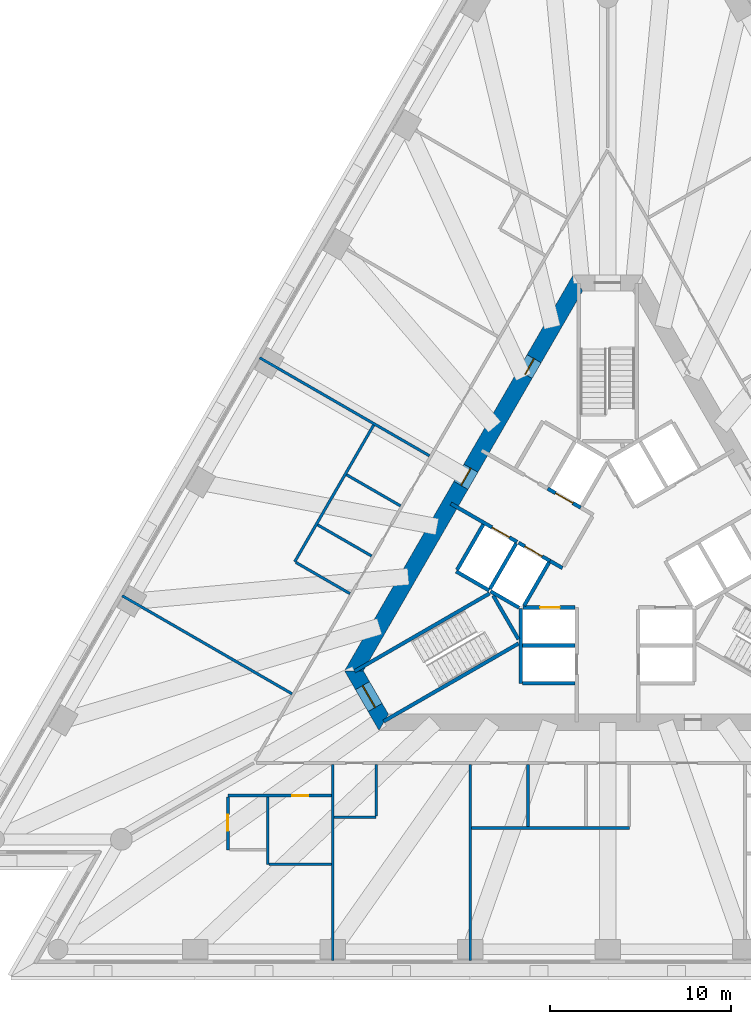
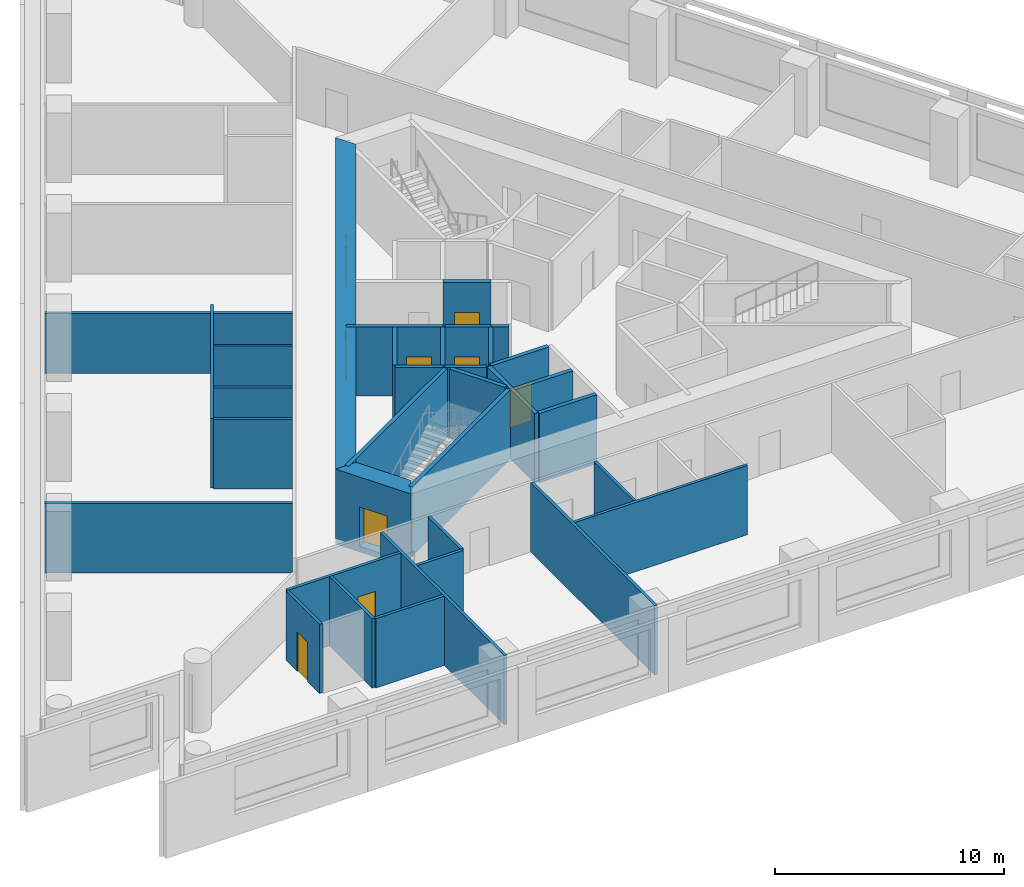
# One storey, part 3 of 11: 34 walls, 9 doors, 9 openings.
"""IFC4 building model written with IfcOpenShell, lengths in metres."""

from ifc_helpers import new_model, si_unit, direction, frame, frame_2d, origin, place, context, subcontext, project, spatial, polyline, rectangle, outline, extrude, material, layer, layer_set, type_object, element, fill, save


model = new_model("IFC4")

# Units and contexts
model_context = context("Model", 3, precision=1e-05, world=origin(), true_north=direction((0.0, 1.0)))
body_context = subcontext(model_context, "Body", "Model", "MODEL_VIEW")
ifc_project = project(units=[si_unit("LENGTHUNIT", "METRE"), si_unit("AREAUNIT", "SQUARE_METRE"), si_unit("VOLUMEUNIT", "CUBIC_METRE"), si_unit("PLANEANGLEUNIT", "RADIAN"), si_unit("MASSUNIT", "GRAM", prefix="KILO")], contexts=[model_context])

# Site, building, storey
site_placement = place(None, origin())
site = spatial("IfcSite", under=ifc_project, at=site_placement, CompositionType="ELEMENT")
building_placement = place(site_placement, origin())
building = spatial("IfcBuilding", under=site, at=building_placement, Name="Triada Interchange Tower", CompositionType="ELEMENT")
storey_placement = place(building_placement, frame((0.0, 0.0, 35.300048828125)))
storey = spatial("IfcBuildingStorey", under=building, at=storey_placement, Name="L06", CompositionType="ELEMENT", Elevation=35.300048828125)

# Walls
ifc_material_1 = material(Name="Concrete C30/37", Category="concrete")
ifc_layer_1 = layer(ifc_material_1, 0.199951171875)
ifc_layer_set_1 = layer_set([ifc_layer_1], Name="CORE WALL 200 EI 120")
wall_type_1 = type_object("IfcWallType", Name="CORE WALL 200 EI 120", PredefinedType="SOLIDWALL", material=ifc_layer_set_1)
wall_1_placement = place(storey_placement, frame((-8.3759765625, -0.70703125, 0.0), z_axis=(0.0, 0.0, 1.0), x_axis=(0.866067520717, -0.499927044236, 0.0)))
element("IfcWall", 1, at=wall_1_placement, inside=storey, type_object=wall_type_1, Name="Wall L06 46", PredefinedType="SOLIDWALL", context=body_context, shape_type="SweptSolid", body=[
    extrude(rectangle(XDim=2.100341796875, YDim=0.199951171875, at=frame_2d((1.05029296875, 0.0))), origin(), (0.0, 0.0, 1.0), 3.699951171875),
])
wall_2_placement = place(storey_placement, frame((-8.325927734375, -0.6201171875, 0.0), z_axis=(0.0, 0.0, 1.0), x_axis=(0.500023687443, 0.866011727401, 0.0)))
element("IfcWall", 2, at=wall_2_placement, inside=storey, type_object=wall_type_1, Name="Wall L06 47", PredefinedType="SOLIDWALL", context=body_context, shape_type="SweptSolid", body=[
    extrude(rectangle(XDim=2.899658203125, YDim=0.199951171875, at=frame_2d((1.44970703125, 0.0))), origin(), (0.0, 0.0, 1.0), 3.699951171875),
])
wall_3_placement = place(storey_placement, frame((-4.699951171875, -4.800048828125, 0.0), z_axis=(0.0, 0.0, 1.0), x_axis=(1.0, 0.0, 0.0)))
element("IfcWall", 3, at=wall_3_placement, inside=storey, type_object=wall_type_1, Name="Wall L06 48", PredefinedType="SOLIDWALL", context=body_context, shape_type="SweptSolid", body=[
    extrude(rectangle(XDim=2.89990234375, YDim=0.199951171875, at=frame_2d((1.449951171875, 0.0))), origin(), (0.0, 0.0, 1.0), 3.699951171875),
])
wall_4_placement = place(storey_placement, frame((-4.800048828125, -6.89990234375, 0.0), z_axis=(0.0, 0.0, 1.0), x_axis=(0.0, 1.0, 0.0)))
element("IfcWall", 4, at=wall_4_placement, inside=storey, type_object=wall_type_1, Name="Wall L06 50", PredefinedType="SOLIDWALL", context=body_context, shape_type="SweptSolid", body=[
    extrude(rectangle(XDim=4.130859375, YDim=0.199951171875, at=frame_2d((2.0654296875, 0.0))), origin(), (0.0, 0.0, 1.0), 3.699951171875),
])
wall_5_placement = place(storey_placement, frame((-4.699951171875, -6.89990234375, 0.0), z_axis=(0.0, 0.0, 1.0), x_axis=(1.0, 0.0, 0.0)))
element("IfcWall", 5, at=wall_5_placement, inside=storey, type_object=wall_type_1, Name="Wall L06 51", PredefinedType="SOLIDWALL", context=body_context, shape_type="SweptSolid", body=[
    extrude(rectangle(XDim=2.89990234375, YDim=0.199951171875, at=frame_2d((1.449951171875, 0.0))), origin(), (0.0, 0.0, 1.0), 3.699951171875),
])

# Wall, opening, door
wall_6_placement = place(storey_placement, frame((-4.676025390625, -2.699951171875, 0.0), z_axis=(0.0, 0.0, 1.0), x_axis=(1.0, 0.0, 0.0)))
wall_6 = element("IfcWall", 6, at=wall_6_placement, inside=storey, type_object=wall_type_1, Name="Wall L06 54", PredefinedType="SOLIDWALL", context=body_context, shape_type="SweptSolid", body=[
    extrude(rectangle(XDim=2.873046875, YDim=0.199951171875, at=frame_2d((1.4365234375, 0.0))), origin(), (0.0, 0.0, 1.0), 3.699951171875),
])
opening_1_placement = place(wall_6_placement, frame((0.93701171875, 0.0, 0.0)))
opening_1 = element("IfcOpeningElement", 7, at=opening_1_placement, cuts=wall_6, Name="Opening LD-LR3", PredefinedType="OPENING", context=body_context, shape_type="SweptSolid", body=[
    extrude(rectangle(XDim=1.10009765625, YDim=2.10009765625, at=frame_2d((0.550048828125, 1.050048828125))), frame((0.0, 0.10986328125, 0.0), z_axis=(0.0, -1.0, 0.0), x_axis=(1.0, 0.0, 0.0)), (0.0, 0.0, 1.0), 0.219970703125),
])
ifc_material_2 = material(Name="Steel S235 door leaf", Category="steel")
door_type_1 = type_object("IfcDoorType", Name="LIFT LANDING DOOR 1100 EI 120", OperationType="SLIDING_TO_LEFT", PredefinedType="DOOR", material=ifc_material_2)
door_1_placement = place(opening_1_placement, origin())
door_1 = element("IfcDoor", 8, at=door_1_placement, inside=storey, type_object=door_type_1, Name="LR3 landing door L06", OperationType="SLIDING_TO_LEFT", OverallHeight=2.10009765625, OverallWidth=1.10009765625, PredefinedType="DOOR", context=body_context, shape_type="SweptSolid", body=[
    extrude(rectangle(XDim=1.10009765625, YDim=2.10009765625, at=frame_2d((0.550048828125, 1.050048828125))), frame((0.0, 0.02490234375, 0.0), z_axis=(0.0, -1.0, 0.0), x_axis=(1.0, 0.0, 0.0)), (0.0, 0.0, 1.0), 0.050048828125),
])
fill(opening_1, door_1)

ifc_layer_2 = layer(ifc_material_1, 0.199951171875)
ifc_layer_set_2 = layer_set([ifc_layer_2], Name="CORE WALL 200 EI 180")
wall_type_2 = type_object("IfcWallType", Name="CORE WALL 200 EI 180", PredefinedType="SOLIDWALL", material=ifc_layer_set_2)
wall_7_placement = place(storey_placement, frame((-8.669921875, 3.04296875, 0.0), z_axis=(0.0, 0.0, 1.0), x_axis=(0.866029956157, -0.499992114976, 0.0)))
wall_7 = element("IfcWall", 9, at=wall_7_placement, inside=storey, type_object=wall_type_2, Name="Wall L06 68", PredefinedType="SOLIDWALL", context=body_context, shape_type="SweptSolid", body=[
    extrude(rectangle(XDim=4.23193359375, YDim=0.199951171875, at=frame_2d((2.115966796875, 0.0))), origin(), (0.0, 0.0, 1.0), 3.699951171875),
])
opening_2_placement = place(wall_7_placement, frame((2.6298828125, 0.0, 0.0)))
opening_2 = element("IfcOpeningElement", 10, at=opening_2_placement, cuts=wall_7, Name="Opening LD-SV1", PredefinedType="OPENING", context=body_context, shape_type="SweptSolid", body=[
    extrude(rectangle(XDim=1.10009765625, YDim=2.10009765625, at=frame_2d((0.550048828125, 1.050048828125))), frame((0.0, 0.10986328125, 0.0), z_axis=(0.0, -1.0, 0.0), x_axis=(1.0, 0.0, 0.0)), (0.0, 0.0, 1.0), 0.219970703125),
])
door_2_placement = place(opening_2_placement, origin())
door_2 = element("IfcDoor", 11, at=door_2_placement, inside=storey, type_object=door_type_1, Name="SV1 landing door L06", OperationType="SLIDING_TO_LEFT", OverallHeight=2.10009765625, OverallWidth=1.10009765625, PredefinedType="DOOR", context=body_context, shape_type="SweptSolid", body=[
    extrude(rectangle(XDim=1.10009765625, YDim=2.10009765625, at=frame_2d((0.550048828125, 1.050048828125))), frame((0.0, 0.02490234375, 0.0), z_axis=(0.0, -1.0, 0.0), x_axis=(1.0, 0.0, 0.0)), (0.0, 0.0, 1.0), 0.050048828125),
])
fill(opening_2, door_2)

# Walls
wall_8_placement = place(storey_placement, frame((-3.18798828125, -0.1220703125, 0.0), z_axis=(0.0, 0.0, 1.0), x_axis=(0.865705793592, -0.50055317294, 0.0)))
element("IfcWall", 12, at=wall_8_placement, inside=storey, type_object=wall_type_2, Name="Wall L06 69", PredefinedType="SOLIDWALL", context=body_context, shape_type="SweptSolid", body=[
    extrude(rectangle(XDim=0.796875, YDim=0.199951171875, at=frame_2d((0.3984375, 0.0))), origin(), (0.0, 0.0, 1.0), 3.699951171875),
])
wall_9_placement = place(storey_placement, frame((-6.507080078125, -1.669921875, 0.0), z_axis=(0.0, 0.0, 1.0), x_axis=(0.50012328804, 0.865954211699, 0.0)))
element("IfcWall", 13, at=wall_9_placement, inside=storey, type_object=wall_type_2, Name="Shaft wall FF1 L06 75", PredefinedType="SOLIDWALL", context=body_context, shape_type="SweptSolid", body=[
    extrude(rectangle(XDim=2.899658203125, YDim=0.199951171875, at=frame_2d((1.44970703125, 0.0))), origin(), (0.0, 0.0, 1.0), 3.699951171875),
])
wall_10_placement = place(storey_placement, frame((-6.469970703125, -1.806884765625, 0.0), z_axis=(0.0, 0.0, 1.0), x_axis=(0.865883195159, -0.500246231712, 0.0)))
element("IfcWall", 14, at=wall_10_placement, inside=storey, type_object=wall_type_2, Name="Shaft wall FF1 L06 76", PredefinedType="SOLIDWALL", context=body_context, shape_type="SweptSolid", body=[
    extrude(rectangle(XDim=1.8154296875, YDim=0.199951171875, at=frame_2d((0.90771484375, 0.0))), origin(), (0.0, 0.0, 1.0), 3.699951171875),
])

# Wall, opening, door
wall_11_placement = place(storey_placement, frame((-4.922119140625, 0.87890625, 0.0), z_axis=(0.0, 0.0, 1.0), x_axis=(0.866073918653, -0.499915960366, 0.0)))
wall_11 = element("IfcWall", 15, at=wall_11_placement, inside=storey, type_object=wall_type_2, Name="Shaft wall FF1 L06 77", PredefinedType="SOLIDWALL", context=body_context, shape_type="SweptSolid", body=[
    extrude(rectangle(XDim=2.002197265625, YDim=0.199951171875, at=frame_2d((1.0009765625, 0.0))), origin(), (0.0, 0.0, 1.0), 3.699951171875),
])
opening_3_placement = place(wall_11_placement, frame((0.402099609375, 0.0, 0.0)))
opening_3 = element("IfcOpeningElement", 16, at=opening_3_placement, cuts=wall_11, Name="Opening LD-FF1", PredefinedType="OPENING", context=body_context, shape_type="SweptSolid", body=[
    extrude(rectangle(XDim=1.10009765625, YDim=2.10009765625, at=frame_2d((0.550048828125, 1.050048828125))), frame((0.0, 0.10986328125, 0.0), z_axis=(0.0, -1.0, 0.0), x_axis=(1.0, 0.0, 0.0)), (0.0, 0.0, 1.0), 0.219970703125),
])
door_3_placement = place(opening_3_placement, origin())
door_3 = element("IfcDoor", 17, at=door_3_placement, inside=storey, type_object=door_type_1, Name="FF1 landing door L06", OperationType="SLIDING_TO_LEFT", OverallHeight=2.10009765625, OverallWidth=1.10009765625, PredefinedType="DOOR", context=body_context, shape_type="SweptSolid", body=[
    extrude(rectangle(XDim=1.10009765625, YDim=2.10009765625, at=frame_2d((0.550048828125, 1.050048828125))), frame((0.0, 0.02490234375, 0.0), z_axis=(0.0, -1.0, 0.0), x_axis=(1.0, 0.0, 0.0)), (0.0, 0.0, 1.0), 0.050048828125),
])
fill(opening_3, door_3)

# Wall
wall_12_placement = place(storey_placement, frame((-4.618896484375, -2.60009765625, 0.0), z_axis=(0.0, 0.0, 1.0), x_axis=(0.50009492287, 0.865970593103, 0.0)))
element("IfcWall", 18, at=wall_12_placement, inside=storey, type_object=wall_type_2, Name="Shaft wall FF1 L06 78", PredefinedType="SOLIDWALL", context=body_context, shape_type="SweptSolid", body=[
    extrude(rectangle(XDim=2.76123046875, YDim=0.199951171875, at=frame_2d((1.380615234375, 0.0))), origin(), (0.0, 0.0, 1.0), 3.699951171875),
])

# Wall, opening, door
wall_13_placement = place(storey_placement, frame((-3.30908203125, 3.873046875, 0.0), z_axis=(0.0, 0.0, 1.0), x_axis=(0.866098583652, -0.499873227325, 0.0)))
wall_13 = element("IfcWall", 19, at=wall_13_placement, inside=storey, type_object=wall_type_2, Name="Shaft wall FF2 L06 79", PredefinedType="SOLIDWALL", context=body_context, shape_type="SweptSolid", body=[
    extrude(rectangle(XDim=2.1025390625, YDim=0.199951171875, at=frame_2d((1.05126953125, 0.0))), origin(), (0.0, 0.0, 1.0), 3.699951171875),
])
opening_4_placement = place(wall_13_placement, frame((0.501953125, 0.0, 0.0)))
opening_4 = element("IfcOpeningElement", 20, at=opening_4_placement, cuts=wall_13, Name="Opening LD-FF2", PredefinedType="OPENING", context=body_context, shape_type="SweptSolid", body=[
    extrude(rectangle(XDim=1.10009765625, YDim=2.10009765625, at=frame_2d((0.550048828125, 1.050048828125))), frame((0.0, 0.10986328125, 0.0), z_axis=(0.0, -1.0, 0.0), x_axis=(1.0, 0.0, 0.0)), (0.0, 0.0, 1.0), 0.219970703125),
])
door_4_placement = place(opening_4_placement, origin())
door_4 = element("IfcDoor", 21, at=door_4_placement, inside=storey, type_object=door_type_1, Name="FF2 landing door L06", OperationType="SLIDING_TO_LEFT", OverallHeight=2.10009765625, OverallWidth=1.10009765625, PredefinedType="DOOR", context=body_context, shape_type="SweptSolid", body=[
    extrude(rectangle(XDim=1.10009765625, YDim=2.10009765625, at=frame_2d((0.550048828125, 1.050048828125))), frame((0.0, 0.02490234375, 0.0), z_axis=(0.0, -1.0, 0.0), x_axis=(1.0, 0.0, 0.0)), (0.0, 0.0, 1.0), 0.050048828125),
])
fill(opening_4, door_4)

# Walls
ifc_layer_3 = layer(ifc_material_1, 0.199951171875)
ifc_layer_set_3 = layer_set([ifc_layer_3], Name="CORE WALL 200 REI 240")
wall_type_3 = type_object("IfcWallType", Name="CORE WALL 200 REI 240", PredefinedType="SOLIDWALL", material=ifc_layer_set_3)
wall_14_placement = place(storey_placement, frame((-13.989990234375, -6.22900390625, 0.0), z_axis=(0.0, 0.0, 1.0), x_axis=(0.866060059011, 0.499939970583, 0.0)))
element("IfcWall", 22, at=wall_14_placement, inside=storey, type_object=wall_type_3, Name="Wall L06 84", PredefinedType="SOLIDWALL", context=body_context, shape_type="SweptSolid", body=[
    extrude(rectangle(XDim=8.61474609375, YDim=0.199951171875, at=frame_2d((4.307373046875, 0.0))), origin(), (0.0, 0.0, 1.0), 3.699951171875),
])
wall_15_placement = place(storey_placement, frame((-6.3291015625, -2.0380859375, 0.0), z_axis=(0.0, 0.0, 1.0), x_axis=(0.500200581029, -0.865909567298, 0.0)))
element("IfcWall", 23, at=wall_15_placement, inside=storey, type_object=wall_type_3, Name="Wall L06 85", PredefinedType="SOLIDWALL", context=body_context, shape_type="SweptSolid", body=[
    extrude(rectangle(XDim=2.799072265625, YDim=0.199951171875, at=frame_2d((1.3994140625, 0.0))), origin(), (0.0, 0.0, 1.0), 3.699951171875),
])
wall_16_placement = place(storey_placement, frame((-12.389892578125, -9.0009765625, 0.0), z_axis=(0.0, 0.0, 1.0), x_axis=(0.866010975815, 0.500024989144, 0.0)))
element("IfcWall", 24, at=wall_16_placement, inside=storey, type_object=wall_type_3, Name="Wall L06 86", PredefinedType="SOLIDWALL", context=body_context, shape_type="SweptSolid", body=[
    extrude(rectangle(XDim=8.615234375, YDim=0.199951171875, at=frame_2d((4.3076171875, 0.0))), origin(), (0.0, 0.0, 1.0), 3.699951171875),
])

# Wall, openings, doors
ifc_material_3 = material(Name="Concrete C70/85", Category="concrete")
ifc_layer_4 = layer(ifc_material_3, 0.89990234375)
ifc_layer_set_4 = layer_set([ifc_layer_4], Name="Core wall A 900")
wall_type_4 = type_object("IfcWallType", Name="Core wall A 900", PredefinedType="SHEAR", material=ifc_layer_set_4)
wall_17_placement = place(storey_placement, frame((-1.64501953125, 15.25, -0.300048828125), z_axis=(0.0, 0.0, 1.0), x_axis=(-0.500026485275, -0.866010111964, 0.0)))
wall_17 = element("IfcWall", 25, at=wall_17_placement, inside=storey, type_object=wall_type_4, Name="Core wall WA02 L06", PredefinedType="SHEAR", context=body_context, shape_type="SweptSolid", body=[
    extrude(outline(polyline([(-0.260009765625, -0.449951171875), (1.685302734375, -0.449951171875), (3.63037109375, -0.44970703125), (5.57568359375, -0.44970703125), (7.52099609375, -0.44970703125), (9.466064453125, -0.449462890625), (11.411376953125, -0.449462890625), (13.356689453125, -0.449462890625), (15.302001953125, -0.449462890625), (17.2470703125, -0.44921875), (19.1923828125, -0.44921875), (21.1376953125, -0.44921875), (23.082763671875, -0.448974609375), (25.028076171875, -0.448974609375), (24.509033203125, 0.449951171875), (22.643798828125, 0.449951171875), (20.7783203125, 0.44970703125), (18.9130859375, 0.44970703125), (17.0478515625, 0.44970703125), (15.182373046875, 0.449462890625), (13.317138671875, 0.449462890625), (11.451904296875, 0.449462890625), (9.586669921875, 0.449462890625), (7.72119140625, 0.44921875), (5.85595703125, 0.44921875), (3.99072265625, 0.44921875), (2.125244140625, 0.448974609375), (0.260009765625, 0.448974609375), (-0.260009765625, -0.449951171875)])), origin(), (0.0, 0.0, 1.0), 4.0),
])
opening_5_placement = place(wall_17_placement, frame((11.833984375, 0.0, 0.300048828125)))
opening_5 = element("IfcOpeningElement", 26, at=opening_5_placement, cuts=wall_17, Name="Opening D06-44", PredefinedType="OPENING", context=body_context, shape_type="SweptSolid", body=[
    extrude(rectangle(XDim=1.10009765625, YDim=2.10009765625, at=frame_2d((0.550048828125, 1.050048828125))), frame((0.0, 0.4599609375, 0.0), z_axis=(0.0, -1.0, 0.0), x_axis=(1.0, 0.0, 0.0)), (0.0, 0.0, 1.0), 0.919921875),
])
opening_6_placement = place(wall_17_placement, frame((4.842041015625, 0.0, 0.300048828125)))
opening_6 = element("IfcOpeningElement", 27, at=opening_6_placement, cuts=wall_17, Name="Opening D06-46", PredefinedType="OPENING", context=body_context, shape_type="SweptSolid", body=[
    extrude(rectangle(XDim=1.0, YDim=2.10009765625, at=frame_2d((0.5, 1.050048828125))), frame((0.0, 0.4599609375, 0.0), z_axis=(0.0, -1.0, 0.0), x_axis=(1.0, 0.0, 0.0)), (0.0, 0.0, 1.0), 0.919921875),
])
door_type_2 = type_object("IfcDoorType", Name="FIRE LOBBY DOOR 1100 EI2 90-C5S200", OperationType="NOTDEFINED", PredefinedType="DOOR", material=ifc_material_2)
door_5_placement = place(opening_5_placement, origin())
door_5 = element("IfcDoor", 28, at=door_5_placement, inside=storey, type_object=door_type_2, Name="Door D06-44 L06", OperationType="SINGLE_SWING_LEFT", OverallHeight=2.10009765625, OverallWidth=1.10009765625, PredefinedType="DOOR", context=body_context, shape_type="SweptSolid", body=[
    extrude(rectangle(XDim=1.10009765625, YDim=2.10009765625, at=frame_2d((0.550048828125, 1.050048828125))), frame((0.0, 0.02490234375, 0.0), z_axis=(0.0, -1.0, 0.0), x_axis=(1.0, 0.0, 0.0)), (0.0, 0.0, 1.0), 0.050048828125),
])
fill(opening_5, door_5)
door_type_3 = type_object("IfcDoorType", Name="SERVICE DOOR 1000 EI2 45-C5S200", OperationType="NOTDEFINED", PredefinedType="DOOR", material=ifc_material_2)
door_6_placement = place(opening_6_placement, origin())
door_6 = element("IfcDoor", 29, at=door_6_placement, inside=storey, type_object=door_type_3, Name="Door D06-46 L06", OperationType="SINGLE_SWING_LEFT", OverallHeight=2.10009765625, OverallWidth=1.0, PredefinedType="DOOR", context=body_context, shape_type="SweptSolid", body=[
    extrude(rectangle(XDim=1.0, YDim=2.10009765625, at=frame_2d((0.5, 1.050048828125))), frame((0.0, 0.02490234375, 0.0), z_axis=(0.0, -1.0, 0.0), x_axis=(1.0, 0.0, 0.0)), (0.0, 0.0, 1.0), 0.050048828125),
])
fill(opening_6, door_6)

# Wall, opening, door
wall_18_placement = place(storey_placement, frame((-14.030029296875, -6.199951171875, -0.300048828125), z_axis=(0.0, 0.0, 1.0), x_axis=(0.500111984565, -0.865960739811, 0.0)))
wall_18 = element("IfcWall", 30, at=wall_18_placement, inside=storey, type_object=wall_type_4, Name="Core wall WA03 L06", PredefinedType="SHEAR", context=body_context, shape_type="SweptSolid", body=[
    extrude(outline(polyline([(-0.260009765625, -0.448974609375), (1.6455078125, -0.449462890625), (3.551025390625, -0.449951171875), (3.031982421875, 0.449951171875), (1.64599609375, 0.449951171875), (0.260009765625, 0.449951171875), (-0.260009765625, -0.448974609375)])), origin(), (0.0, 0.0, 1.0), 4.0),
])
opening_7_placement = place(wall_18_placement, frame((0.946044921875, 0.0, 0.300048828125)))
opening_7 = element("IfcOpeningElement", 31, at=opening_7_placement, cuts=wall_18, Name="Opening D06-42", PredefinedType="OPENING", context=body_context, shape_type="SweptSolid", body=[
    extrude(rectangle(XDim=1.39990234375, YDim=2.10009765625, at=frame_2d((0.699951171875, 1.050048828125))), frame((0.0, 0.4599609375, 0.0), z_axis=(0.0, -1.0, 0.0), x_axis=(1.0, 0.0, 0.0)), (0.0, 0.0, 1.0), 0.919921875),
])
door_type_4 = type_object("IfcDoorType", Name="STAIR DOOR 1400 EI2 90-C5S200", OperationType="DOUBLE_DOOR_SINGLE_SWING", PredefinedType="DOOR", material=ifc_material_2)
door_7_placement = place(opening_7_placement, origin())
door_7 = element("IfcDoor", 32, at=door_7_placement, inside=storey, type_object=door_type_4, Name="Door D06-42 L06", OperationType="DOUBLE_DOOR_SINGLE_SWING", OverallHeight=2.10009765625, OverallWidth=1.39990234375, PredefinedType="DOOR", context=body_context, shape_type="SweptSolid", body=[
    extrude(rectangle(XDim=1.39990234375, YDim=2.10009765625, at=frame_2d((0.699951171875, 1.050048828125))), frame((0.0, 0.02490234375, 0.0), z_axis=(0.0, -1.0, 0.0), x_axis=(1.0, 0.0, 0.0)), (0.0, 0.0, 1.0), 0.050048828125),
])
fill(opening_7, door_7)

# Walls
ifc_material_4 = material(Name="Gypsum board partition")
ifc_layer_5 = layer(ifc_material_4, 0.14990234375)
ifc_layer_set_5 = layer_set([ifc_layer_5], Name="PARTITION 150 EI 180")
wall_type_5 = type_object("IfcWallType", Name="PARTITION 150 EI 180", PredefinedType="PARTITIONING", material=ifc_layer_set_5)
wall_19_placement = place(storey_placement, frame((-26.843017578125, -2.052001953125, 0.0), z_axis=(0.0, 0.0, 1.0), x_axis=(0.86602515287, -0.500000434597, 0.0)))
element("IfcWall", 33, at=wall_19_placement, inside=storey, type_object=wall_type_5, Name="Wall L06 3", PredefinedType="PARTITIONING", context=body_context, shape_type="SweptSolid", body=[
    extrude(rectangle(XDim=10.84619140625, YDim=0.14990234375, at=frame_2d((5.423095703125, 0.0))), origin(), (0.0, 0.0, 1.0), 3.699951171875),
])
wall_20_placement = place(storey_placement, frame((-19.242919921875, 11.110107421875, 0.0), z_axis=(0.0, 0.0, 1.0), x_axis=(0.866036004841, -0.499981637982, 0.0)))
element("IfcWall", 34, at=wall_20_placement, inside=storey, type_object=wall_type_5, Name="Wall L06 6", PredefinedType="PARTITIONING", context=body_context, shape_type="SweptSolid", body=[
    extrude(rectangle(XDim=10.8447265625, YDim=0.14990234375, at=frame_2d((5.42236328125, 0.0))), origin(), (0.0, 0.0, 1.0), 3.199951171875),
])
wall_21_placement = place(storey_placement, frame((-17.303955078125, -0.1708984375, 0.0), z_axis=(0.0, 0.0, 1.0), x_axis=(0.500054279689, 0.865994063124, 0.0)))
element("IfcWall", 35, at=wall_21_placement, inside=storey, type_object=wall_type_5, Name="Wall L06 8", PredefinedType="PARTITIONING", context=body_context, shape_type="SweptSolid", body=[
    extrude(rectangle(XDim=8.72509765625, YDim=0.14990234375, at=frame_2d((4.362548828125, 0.0))), origin(), (0.0, 0.0, 1.0), 3.699951171875),
])
for number, where, z_axis, x_axis, name in (
    (36, (-17.239013671875, -0.2080078125, 0.0), (0.0, 0.0, 1.0), (0.866031223622, -0.49998991961, 0.0), "Wall L06 9"),
    (37, (-16.0390625, 1.8701171875, 0.0), (0.0, 0.0, 1.0), (0.866031223622, -0.49998991961, 0.0), "Wall L06 10"),
):
    element("IfcWall", number, at=place(storey_placement, frame(where, z_axis=z_axis, x_axis=x_axis)), inside=storey, type_object=wall_type_5, Name=name, PredefinedType="PARTITIONING", context=body_context, shape_type="SweptSolid", body=[
        extrude(rectangle(XDim=3.4501953125, YDim=0.14990234375, at=frame_2d((1.72509765625, 0.0))), origin(), (0.0, 0.0, 1.0), 3.699951171875),
    ])
wall_22_placement = place(storey_placement, frame((-15.197998046875, -22.219970703125, 0.0), z_axis=(0.0, 0.0, 1.0), x_axis=(0.0, 1.0, 0.0)))
element("IfcWall", 38, at=wall_22_placement, inside=storey, type_object=wall_type_5, Name="Wall L06 12", PredefinedType="PARTITIONING", context=body_context, shape_type="SweptSolid", body=[
    extrude(rectangle(XDim=10.844970703125, YDim=0.14990234375, at=frame_2d((5.42236328125, 0.0))), origin(), (0.0, 0.0, 1.0), 3.699951171875),
])
wall_23_placement = place(storey_placement, frame((-15.123046875, -14.300048828125, 0.0), z_axis=(0.0, 0.0, 1.0), x_axis=(1.0, 0.0, 0.0)))
element("IfcWall", 39, at=wall_23_placement, inside=storey, type_object=wall_type_5, Name="Wall L06 13", PredefinedType="PARTITIONING", context=body_context, shape_type="SweptSolid", body=[
    extrude(rectangle(XDim=2.324951171875, YDim=0.14990234375, at=frame_2d((1.16259765625, 0.0))), origin(), (0.0, 0.0, 1.0), 3.699951171875),
])
wall_24_placement = place(storey_placement, frame((-12.798095703125, -14.22509765625, 0.0), z_axis=(0.0, 0.0, 1.0), x_axis=(0.0, 1.0, 0.0)))
element("IfcWall", 40, at=wall_24_placement, inside=storey, type_object=wall_type_5, Name="Wall L06 14", PredefinedType="PARTITIONING", context=body_context, shape_type="SweptSolid", body=[
    extrude(rectangle(XDim=2.85009765625, YDim=0.14990234375, at=frame_2d((1.425048828125, 0.0))), origin(), (0.0, 0.0, 1.0), 3.699951171875),
])
wall_25_placement = place(storey_placement, frame((-14.43896484375, 4.64111328125, 0.0), z_axis=(0.0, 0.0, 1.0), x_axis=(0.866031223622, -0.49998991961, 0.0)))
element("IfcWall", 41, at=wall_25_placement, inside=storey, type_object=wall_type_5, Name="Wall L06 15", PredefinedType="PARTITIONING", context=body_context, shape_type="SweptSolid", body=[
    extrude(rectangle(XDim=3.4501953125, YDim=0.14990234375, at=frame_2d((1.72509765625, 0.0))), origin(), (0.0, 0.0, 1.0), 3.699951171875),
])
wall_26_placement = place(storey_placement, frame((-7.59912109375, -22.219970703125, 0.0), z_axis=(0.0, 0.0, 1.0), x_axis=(0.0, 1.0, 0.0)))
element("IfcWall", 42, at=wall_26_placement, inside=storey, type_object=wall_type_5, Name="Wall L06 17", PredefinedType="PARTITIONING", context=body_context, shape_type="SweptSolid", body=[
    extrude(rectangle(XDim=10.844970703125, YDim=0.14990234375, at=frame_2d((5.42236328125, 0.0))), origin(), (0.0, 0.0, 1.0), 3.699951171875),
])
wall_27_placement = place(storey_placement, frame((-7.52392578125, -14.89990234375, 0.0), z_axis=(0.0, 0.0, 1.0), x_axis=(1.0, 0.0, 0.0)))
element("IfcWall", 43, at=wall_27_placement, inside=storey, type_object=wall_type_5, Name="Wall L06 18", PredefinedType="PARTITIONING", context=body_context, shape_type="SweptSolid", body=[
    extrude(rectangle(XDim=8.724853515625, YDim=0.14990234375, at=frame_2d((4.3623046875, 0.0))), origin(), (0.0, 0.0, 1.0), 3.699951171875),
])
wall_28_placement = place(storey_placement, frame((-4.39892578125, -14.824951171875, 0.0), z_axis=(0.0, 0.0, 1.0), x_axis=(0.0, 1.0, 0.0)))
element("IfcWall", 44, at=wall_28_placement, inside=storey, type_object=wall_type_5, Name="Wall L06 21", PredefinedType="PARTITIONING", context=body_context, shape_type="SweptSolid", body=[
    extrude(rectangle(XDim=3.449951171875, YDim=0.14990234375, at=frame_2d((1.72509765625, 0.0))), origin(), (0.0, 0.0, 1.0), 3.699951171875),
])
ifc_layer_6 = layer(ifc_material_4, 0.14990234375)
ifc_layer_set_6 = layer_set([ifc_layer_6], Name="PARTITION 150 EI 90")
wall_type_6 = type_object("IfcWallType", Name="PARTITION 150 EI 90", PredefinedType="PARTITIONING", material=ifc_layer_set_6)
wall_29_placement = place(storey_placement, frame((-18.798095703125, -16.89990234375, 0.0), z_axis=(0.0, 0.0, 1.0), x_axis=(0.0, 1.0, 0.0)))
element("IfcWall", 45, at=wall_29_placement, inside=storey, type_object=wall_type_6, Name="Wall L06 33", PredefinedType="PARTITIONING", context=body_context, shape_type="SweptSolid", body=[
    extrude(rectangle(XDim=3.724853515625, YDim=0.14990234375, at=frame_2d((1.8623046875, 0.0))), origin(), (0.0, 0.0, 1.0), 3.699951171875),
])

# Wall, opening, door
wall_30_placement = place(storey_placement, frame((-20.998046875, -13.10009765625, 0.0), z_axis=(0.0, 0.0, 1.0), x_axis=(1.0, 0.0, 0.0)))
wall_30 = element("IfcWall", 46, at=wall_30_placement, inside=storey, type_object=wall_type_6, Name="Wall L06 34", PredefinedType="PARTITIONING", context=body_context, shape_type="SweptSolid", body=[
    extrude(rectangle(XDim=5.72509765625, YDim=0.14990234375, at=frame_2d((2.862548828125, 0.0))), origin(), (0.0, 0.0, 1.0), 3.699951171875),
])
opening_8_placement = place(wall_30_placement, frame((3.550048828125, 0.0, 0.0)))
opening_8 = element("IfcOpeningElement", 47, at=opening_8_placement, cuts=wall_30, Name="Opening D06-12", PredefinedType="OPENING", context=body_context, shape_type="SweptSolid", body=[
    extrude(rectangle(XDim=0.89990234375, YDim=2.10009765625, at=frame_2d((0.449951171875, 1.050048828125))), frame((0.0, 0.0849609375, 0.0), z_axis=(0.0, -1.0, 0.0), x_axis=(1.0, 0.0, 0.0)), (0.0, 0.0, 1.0), 0.169921875),
])
door_type_5 = type_object("IfcDoorType", Name="ROOM DOOR 900 EI2 45-C5S200", OperationType="NOTDEFINED", PredefinedType="DOOR", material=ifc_material_2)
door_8_placement = place(opening_8_placement, origin())
door_8 = element("IfcDoor", 48, at=door_8_placement, inside=storey, type_object=door_type_5, Name="Door D06-12 L06", OperationType="SINGLE_SWING_LEFT", OverallHeight=2.10009765625, OverallWidth=0.89990234375, PredefinedType="DOOR", context=body_context, shape_type="SweptSolid", body=[
    extrude(rectangle(XDim=0.89990234375, YDim=2.10009765625, at=frame_2d((0.449951171875, 1.050048828125))), frame((0.0, 0.02490234375, 0.0), z_axis=(0.0, -1.0, 0.0), x_axis=(1.0, 0.0, 0.0)), (0.0, 0.0, 1.0), 0.050048828125),
])
fill(opening_8, door_8)

wall_31_placement = place(storey_placement, frame((-20.998046875, -16.10009765625, 0.0), z_axis=(0.0, 0.0, 1.0), x_axis=(0.0, 1.0, 0.0)))
wall_31 = element("IfcWall", 49, at=wall_31_placement, inside=storey, type_object=wall_type_6, Name="Wall L06 36", PredefinedType="PARTITIONING", context=body_context, shape_type="SweptSolid", body=[
    extrude(rectangle(XDim=2.925048828125, YDim=0.14990234375, at=frame_2d((1.46240234375, 0.0))), origin(), (0.0, 0.0, 1.0), 3.699951171875),
])
opening_9_placement = place(wall_31_placement, frame((1.050048828125, 0.0, 0.0)))
opening_9 = element("IfcOpeningElement", 50, at=opening_9_placement, cuts=wall_31, Name="Opening D06-13", PredefinedType="OPENING", context=body_context, shape_type="SweptSolid", body=[
    extrude(rectangle(XDim=0.89990234375, YDim=2.10009765625, at=frame_2d((0.449951171875, 1.050048828125))), frame((0.0, 0.0849609375, 0.0), z_axis=(0.0, -1.0, 0.0), x_axis=(1.0, 0.0, 0.0)), (0.0, 0.0, 1.0), 0.169921875),
])
door_type_6 = type_object("IfcDoorType", Name="SERVICE DOOR 900 EI2 45-C5S200", OperationType="NOTDEFINED", PredefinedType="DOOR", material=ifc_material_2)
door_9_placement = place(opening_9_placement, origin())
door_9 = element("IfcDoor", 51, at=door_9_placement, inside=storey, type_object=door_type_6, Name="Door D06-13 L06", OperationType="SINGLE_SWING_LEFT", OverallHeight=2.10009765625, OverallWidth=0.89990234375, PredefinedType="DOOR", context=body_context, shape_type="SweptSolid", body=[
    extrude(rectangle(XDim=0.89990234375, YDim=2.10009765625, at=frame_2d((0.449951171875, 1.050048828125))), frame((0.0, 0.02490234375, 0.0), z_axis=(0.0, -1.0, 0.0), x_axis=(1.0, 0.0, 0.0)), (0.0, 0.0, 1.0), 0.050048828125),
])
fill(opening_9, door_9)

# Wall
wall_32_placement = place(storey_placement, frame((-18.722900390625, -16.89990234375, 0.0), z_axis=(0.0, 0.0, 1.0), x_axis=(1.0, 0.0, 0.0)))
element("IfcWall", 52, at=wall_32_placement, inside=storey, type_object=wall_type_6, Name="Wall L06 38", PredefinedType="PARTITIONING", context=body_context, shape_type="SweptSolid", body=[
    extrude(rectangle(XDim=3.449951171875, YDim=0.14990234375, at=frame_2d((1.72509765625, 0.0))), origin(), (0.0, 0.0, 1.0), 3.699951171875),
])

save(model, "model.ifc")
